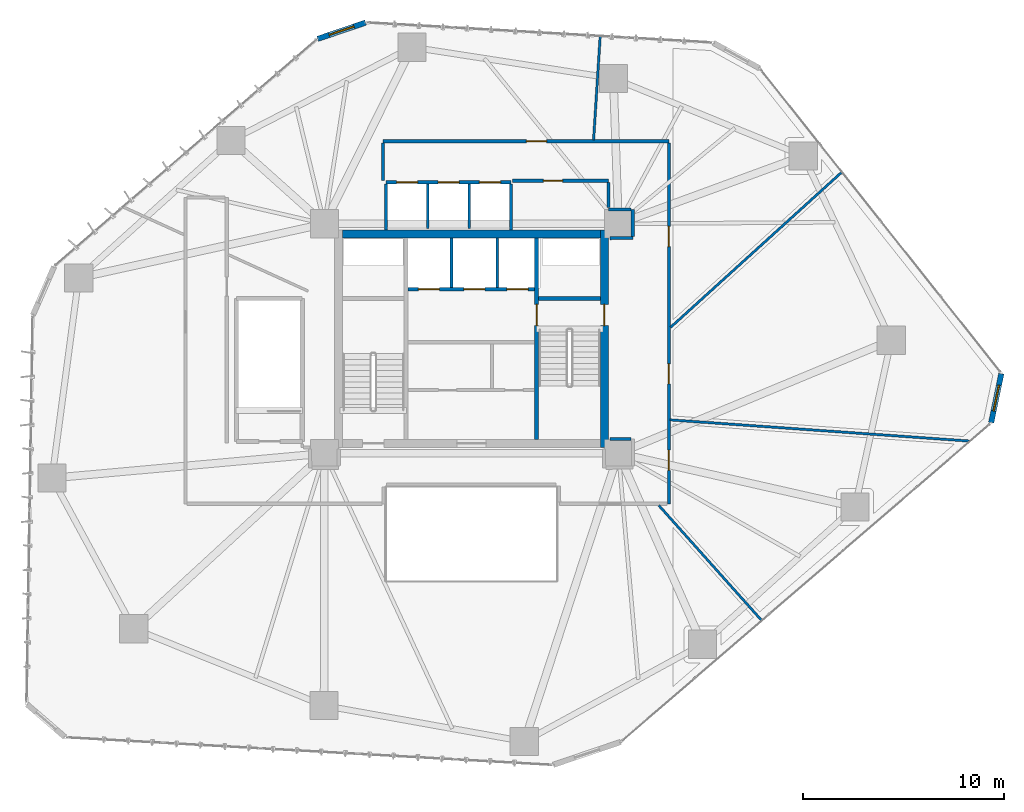
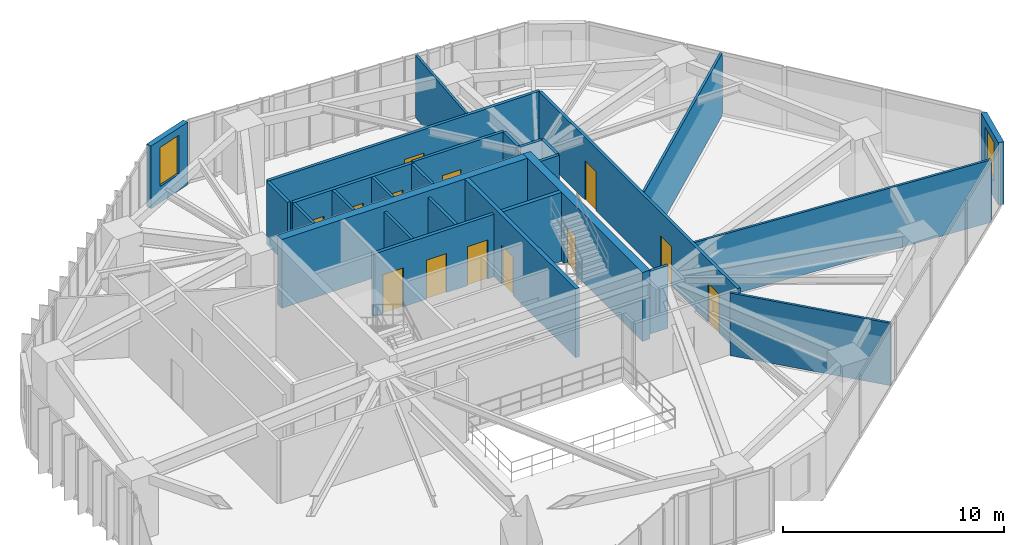
# One storey, part 20 of 24: 27 walls, 13 doors, 2 windows, 15 openings.
"""IFC4 building model written with IfcOpenShell, lengths in metres."""

from ifc_helpers import new_model, si_unit, direction, frame, frame_2d, origin, place, context, subcontext, project, spatial, rectangle, extrude, source, transform, mapped, material, layer, layer_set, type_object, type_shapes, element, fill, save


model = new_model("IFC4")

# Units and contexts
model_context = context("Model", 3, precision=1e-05, world=origin(), true_north=direction((0.0, 1.0)))
body_context = subcontext(model_context, "Body", "Model", "MODEL_VIEW")
ifc_project = project(units=[si_unit("LENGTHUNIT", "METRE"), si_unit("AREAUNIT", "SQUARE_METRE"), si_unit("VOLUMEUNIT", "CUBIC_METRE"), si_unit("PLANEANGLEUNIT", "RADIAN"), si_unit("MASSUNIT", "GRAM", prefix="KILO")], contexts=[model_context])

# Site, building, storey
site_placement = place(None, origin())
site = spatial("IfcSite", under=ifc_project, at=site_placement, CompositionType="ELEMENT")
building_placement = place(site_placement, origin())
building = spatial("IfcBuilding", under=site, at=building_placement, Name="Talar Marvaseh", CompositionType="ELEMENT")
storey_placement = place(building_placement, frame((0.0, 0.0, 81.0)))
storey = spatial("IfcBuildingStorey", under=building, at=storey_placement, Name="L20", CompositionType="ELEMENT", Elevation=81.0)

# Wall, opening, window
ifc_material_1 = material(Name="Precast concrete C45/55", Category="concrete")
ifc_layer_1 = layer(ifc_material_1, 0.27001953125)
ifc_layer_set_1 = layer_set([ifc_layer_1], Name="Precast concrete C45/55")
wall_type_1 = type_object("IfcWallType", Name="Chamfered Hexagonal Corner Pier Wall Z1 270", PredefinedType="SOLIDWALL", material=ifc_layer_set_1)
wall_1_placement = place(storey_placement, frame((18.364013671875, 46.08154296875, 0.0), z_axis=(0.0, 0.0, 1.0), x_axis=(0.946912248057, 0.321492137509, 0.0)))
wall_1 = element("IfcWall", 1, at=wall_1_placement, inside=storey, type_object=wall_type_1, Name="L20 Chamfered Corner Limestone Pier 3", PredefinedType="SOLIDWALL", context=body_context, shape_type="SweptSolid", body=[
    extrude(rectangle(XDim=2.515869140625, YDim=0.27001953125, at=frame_2d((1.2578125, 0.0))), origin(), (0.0, 0.0, 1.0), 3.449951171875),
])
opening_1_placement = place(wall_1_placement, frame((0.60791015625, 0.0, 0.89990234375)))
opening_1 = element("IfcOpeningElement", 2, at=opening_1_placement, cuts=wall_1, Name="Opening WN-CHM13", PredefinedType="OPENING", context=body_context, shape_type="SweptSolid", body=[
    extrude(rectangle(XDim=1.300048828125, YDim=2.14990234375, at=frame_2d((0.64990234375, 1.074951171875))), frame((0.0, 0.14501953125, 0.0), z_axis=(0.0, -1.0, 0.0), x_axis=(1.0, 0.0, 0.0)), (0.0, 0.0, 1.0), 0.2900390625),
])
ifc_material_2 = material(Name="Laminated Low-E Solar Glass", Category="glass")
window_type = type_object("IfcWindowType", Name="Zone 1 Chamfered Corner Slot Window 1300x2150", PartitioningType="SINGLE_PANEL", PredefinedType="WINDOW", material=ifc_material_2)
shared_shape_1 = source(origin(), body_context, "Body", "SweptSolid", [
    extrude(rectangle(XDim=1.300048828125, YDim=2.14990234375, at=frame_2d((0.64990234375, 1.074951171875))), frame((0.0, 0.030029296875, 0.0), z_axis=(0.0, -1.0, 0.0), x_axis=(1.0, 0.0, 0.0)), (0.0, 0.0, 1.0), 0.06005859375),
])
type_shapes(window_type, [shared_shape_1])
window_1_placement = place(opening_1_placement, origin())
window_1 = element("IfcWindow", 3, at=window_1_placement, inside=storey, type_object=window_type, Name="L20 Chamfered Corner Slot Window", OverallHeight=2.14990234375, OverallWidth=1.300048828125, PartitioningType="SINGLE_PANEL", PredefinedType="WINDOW", context=body_context, shape_type="MappedRepresentation", body=[
    mapped(shared_shape_1, transform((0.0, 0.0, 0.0), x_axis=(1.0, 0.0, 0.0), y_axis=(0.0, 1.0, 0.0), z_axis=(0.0, 0.0, 1.0), scale=1.0)),
])
fill(opening_1, window_1)

wall_2_placement = place(storey_placement, frame((52.30859375, 29.458251953125, 0.0), z_axis=(0.0, 0.0, 1.0), x_axis=(-0.202348871026, -0.979313501589, 0.0)))
wall_2 = element("IfcWall", 4, at=wall_2_placement, inside=storey, type_object=wall_type_1, Name="L20 Chamfered Corner Limestone Pier 5", PredefinedType="SOLIDWALL", context=body_context, shape_type="SweptSolid", body=[
    extrude(rectangle(XDim=2.484130859375, YDim=0.27001953125, at=frame_2d((1.2421875, 0.0))), origin(), (0.0, 0.0, 1.0), 3.449951171875),
])
opening_2_placement = place(wall_2_placement, frame((0.592041015625, 0.0, 0.89990234375)))
opening_2 = element("IfcOpeningElement", 5, at=opening_2_placement, cuts=wall_2, Name="Opening WN-CHM13", PredefinedType="OPENING", context=body_context, shape_type="SweptSolid", body=[
    extrude(rectangle(XDim=1.300048828125, YDim=2.14990234375, at=frame_2d((0.64990234375, 1.074951171875))), frame((0.0, 0.14501953125, 0.0), z_axis=(0.0, -1.0, 0.0), x_axis=(1.0, 0.0, 0.0)), (0.0, 0.0, 1.0), 0.2900390625),
])
window_2_placement = place(opening_2_placement, origin())
window_2 = element("IfcWindow", 6, at=window_2_placement, inside=storey, type_object=window_type, Name="L20 Chamfered Corner Slot Window", OverallHeight=2.14990234375, OverallWidth=1.300048828125, PartitioningType="SINGLE_PANEL", PredefinedType="WINDOW", context=body_context, shape_type="MappedRepresentation", body=[
    mapped(shared_shape_1, transform((0.0, 0.0, 0.0), x_axis=(1.0, 0.0, 0.0), y_axis=(0.0, 1.0, 0.0), z_axis=(0.0, 0.0, 1.0), scale=1.0)),
])
fill(opening_2, window_2)

# Wall, opening, door
ifc_material_3 = material(Name="Gypsum Board Partition Assembly")
ifc_layer_2 = layer(ifc_material_3, 0.155029296875)
ifc_layer_set_2 = layer_set([ifc_layer_2], Name="Gypsum Board Partition Assembly")
wall_type_2 = type_object("IfcWallType", Name="Corridor Fire-Rated Acoustic Partition 155", PredefinedType="PARTITIONING", material=ifc_layer_set_2)
wall_3_placement = place(storey_placement, frame((32.800048828125, 39.0400390625, 0.0), z_axis=(0.0, 0.0, 1.0), x_axis=(-1.0, 0.0, 0.0)))
wall_3 = element("IfcWall", 7, at=wall_3_placement, inside=storey, type_object=wall_type_2, Name="L20 Interior Partition Wall", PredefinedType="PARTITIONING", context=body_context, shape_type="SweptSolid", body=[
    extrude(rectangle(XDim=4.77001953125, YDim=0.155029296875, at=frame_2d((2.385009765625, 0.0))), origin(), (0.0, 0.0, 1.0), 3.449951171875),
])
opening_3_placement = place(wall_3_placement, frame((2.27392578125, 0.0, 0.0)))
opening_3 = element("IfcOpeningElement", 8, at=opening_3_placement, cuts=wall_3, Name="Opening DR-WC095", PredefinedType="OPENING", context=body_context, shape_type="SweptSolid", body=[
    extrude(rectangle(XDim=0.949951171875, YDim=2.14990234375, at=frame_2d((0.47509765625, 1.074951171875))), frame((0.0, 0.08740234375, 0.0), z_axis=(0.0, -1.0, 0.0), x_axis=(1.0, 0.0, 0.0)), (0.0, 0.0, 1.0), 0.175048828125),
])
ifc_material_4 = material(Name="Acoustic Engineered Oak Timber", Category="wood")
door_type_1 = type_object("IfcDoorType", Name="Washroom and Service Room Door 950x2150", OperationType="NOTDEFINED", PredefinedType="DOOR", material=ifc_material_4)
shared_shape_2 = source(origin(), body_context, "Body", "SweptSolid", [
    extrude(rectangle(XDim=0.949951171875, YDim=2.14990234375, at=frame_2d((0.47509765625, 1.074951171875))), frame((0.0, 0.02490234375, 0.0), z_axis=(0.0, -1.0, 0.0), x_axis=(1.0, 0.0, 0.0)), (0.0, 0.0, 1.0), 0.050048828125),
])
type_shapes(door_type_1, [shared_shape_2])
door_1_placement = place(opening_3_placement, origin())
door_1 = element("IfcDoor", 9, at=door_1_placement, inside=storey, type_object=door_type_1, Name="L20 Accessible WC Door", OperationType="SINGLE_SWING_LEFT", OverallHeight=2.14990234375, OverallWidth=0.949951171875, PredefinedType="DOOR", context=body_context, shape_type="MappedRepresentation", body=[
    mapped(shared_shape_2, transform((0.0, 0.0, 0.0), x_axis=(1.0, 0.0, 0.0), y_axis=(0.0, 1.0, 0.0), z_axis=(0.0, 0.0, 1.0), scale=1.0)),
])
fill(opening_3, door_1)

wall_4_placement = place(storey_placement, frame((21.60009765625, 41.0, 0.0), z_axis=(0.0, 0.0, 1.0), x_axis=(1.0, 0.0, 0.0)))
wall_4 = element("IfcWall", 10, at=wall_4_placement, inside=storey, type_object=wall_type_2, Name="L20 Interior Partition Wall", PredefinedType="PARTITIONING", context=body_context, shape_type="SweptSolid", body=[
    extrude(rectangle(XDim=14.199951171875, YDim=0.155029296875, at=frame_2d((7.10009765625, 0.0))), origin(), (0.0, 0.0, 1.0), 3.449951171875),
])
opening_4_placement = place(wall_4_placement, frame((7.1298828125, 0.0, 0.0)))
opening_4 = element("IfcOpeningElement", 11, at=opening_4_placement, cuts=wall_4, Name="Opening DR-RM100", PredefinedType="OPENING", context=body_context, shape_type="SweptSolid", body=[
    extrude(rectangle(XDim=1.0, YDim=2.14990234375, at=frame_2d((0.5, 1.074951171875))), frame((0.0, 0.08740234375, 0.0), z_axis=(0.0, -1.0, 0.0), x_axis=(1.0, 0.0, 0.0)), (0.0, 0.0, 1.0), 0.175048828125),
])
door_type_2 = type_object("IfcDoorType", Name="Corridor Fire-Rated Gallery Door 1000x2150", OperationType="NOTDEFINED", PredefinedType="DOOR", material=ifc_material_4)
shared_shape_3 = source(origin(), body_context, "Body", "SweptSolid", [
    extrude(rectangle(XDim=1.0, YDim=2.14990234375, at=frame_2d((0.5, 1.074951171875))), frame((0.0, 0.02490234375, 0.0), z_axis=(0.0, -1.0, 0.0), x_axis=(1.0, 0.0, 0.0)), (0.0, 0.0, 1.0), 0.050048828125),
])
type_shapes(door_type_2, [shared_shape_3])
door_2_placement = place(opening_4_placement, origin())
door_2 = element("IfcDoor", 12, at=door_2_placement, inside=storey, type_object=door_type_2, Name="L20 Chamber Recital Salon Door", OperationType="SINGLE_SWING_RIGHT", OverallHeight=2.14990234375, OverallWidth=1.0, PredefinedType="DOOR", context=body_context, shape_type="MappedRepresentation", body=[
    mapped(shared_shape_3, transform((0.0, 0.0, 0.0), x_axis=(1.0, 0.0, 0.0), y_axis=(0.0, 1.0, 0.0), z_axis=(0.0, 0.0, 1.0), scale=1.0)),
])
fill(opening_4, door_2)

# Wall, openings, doors
wall_5_placement = place(storey_placement, frame((35.800048828125, 40.91650390625, 0.0), z_axis=(0.0, 0.0, 1.0), x_axis=(0.0, -1.0, 0.0)))
wall_5 = element("IfcWall", 13, at=wall_5_placement, inside=storey, type_object=wall_type_2, Name="L20 Interior Partition Wall", PredefinedType="PARTITIONING", context=body_context, shape_type="SweptSolid", body=[
    extrude(rectangle(XDim=17.91650390625, YDim=0.155029296875, at=frame_2d((8.958251953125, 0.0))), origin(), (0.0, 0.0, 1.0), 3.449951171875),
])
opening_5_placement = place(wall_5_placement, frame((15.259521484375, 0.0, 0.0)))
opening_5 = element("IfcOpeningElement", 14, at=opening_5_placement, cuts=wall_5, Name="Opening DR-RM100", PredefinedType="OPENING", context=body_context, shape_type="SweptSolid", body=[
    extrude(rectangle(XDim=1.0, YDim=2.14990234375, at=frame_2d((0.5, 1.074951171875))), frame((0.0, 0.08740234375, 0.0), z_axis=(0.0, -1.0, 0.0), x_axis=(1.0, 0.0, 0.0)), (0.0, 0.0, 1.0), 0.175048828125),
])
opening_6_placement = place(wall_5_placement, frame((10.967041015625, 0.0, 0.0)))
opening_6 = element("IfcOpeningElement", 15, at=opening_6_placement, cuts=wall_5, Name="Opening DR-RM100", PredefinedType="OPENING", context=body_context, shape_type="SweptSolid", body=[
    extrude(rectangle(XDim=1.0, YDim=2.14990234375, at=frame_2d((0.5, 1.074951171875))), frame((0.0, 0.08740234375, 0.0), z_axis=(0.0, -1.0, 0.0), x_axis=(1.0, 0.0, 0.0)), (0.0, 0.0, 1.0), 0.175048828125),
])
opening_7_placement = place(wall_5_placement, frame((4.1484375, 0.0, 0.0)))
opening_7 = element("IfcOpeningElement", 16, at=opening_7_placement, cuts=wall_5, Name="Opening DR-RM100", PredefinedType="OPENING", context=body_context, shape_type="SweptSolid", body=[
    extrude(rectangle(XDim=1.0, YDim=2.14990234375, at=frame_2d((0.5, 1.074951171875))), frame((0.0, 0.08740234375, 0.0), z_axis=(0.0, -1.0, 0.0), x_axis=(1.0, 0.0, 0.0)), (0.0, 0.0, 1.0), 0.175048828125),
])
door_3_placement = place(opening_5_placement, origin())
door_3 = element("IfcDoor", 17, at=door_3_placement, inside=storey, type_object=door_type_2, Name="L20 Curatorial Staff Control Room Door", OperationType="SINGLE_SWING_RIGHT", OverallHeight=2.14990234375, OverallWidth=1.0, PredefinedType="DOOR", context=body_context, shape_type="MappedRepresentation", body=[
    mapped(shared_shape_3, transform((0.0, 0.0, 0.0), x_axis=(1.0, 0.0, 0.0), y_axis=(0.0, 1.0, 0.0), z_axis=(0.0, 0.0, 1.0), scale=1.0)),
])
fill(opening_5, door_3)
door_4_placement = place(opening_6_placement, origin())
door_4 = element("IfcDoor", 18, at=door_4_placement, inside=storey, type_object=door_type_2, Name="L20 Main Reading Room Door", OperationType="SINGLE_SWING_LEFT", OverallHeight=2.14990234375, OverallWidth=1.0, PredefinedType="DOOR", context=body_context, shape_type="MappedRepresentation", body=[
    mapped(shared_shape_3, transform((0.0, 0.0, 0.0), x_axis=(1.0, 0.0, 0.0), y_axis=(0.0, 1.0, 0.0), z_axis=(0.0, 0.0, 1.0), scale=1.0)),
])
fill(opening_6, door_4)
door_5_placement = place(opening_7_placement, origin())
door_5 = element("IfcDoor", 19, at=door_5_placement, inside=storey, type_object=door_type_2, Name="L20 Registrar Mail and Post Room Door", OperationType="SINGLE_SWING_RIGHT", OverallHeight=2.14990234375, OverallWidth=1.0, PredefinedType="DOOR", context=body_context, shape_type="MappedRepresentation", body=[
    mapped(shared_shape_3, transform((0.0, 0.0, 0.0), x_axis=(1.0, 0.0, 0.0), y_axis=(0.0, 1.0, 0.0), z_axis=(0.0, 0.0, 1.0), scale=1.0)),
])
fill(opening_7, door_5)

# Walls
wall_6_placement = place(storey_placement, frame((33.927978515625, 26.2099609375, 0.0), z_axis=(0.0, 0.0, 1.0), x_axis=(-0.999988255797, 0.004846469737, 0.0)))
element("IfcWall", 20, at=wall_6_placement, inside=storey, type_object=wall_type_2, Name="L20 Interior Partition Wall", PredefinedType="PARTITIONING", context=body_context, shape_type="SweptSolid", body=[
    extrude(rectangle(XDim=1.057861328125, YDim=0.155029296875, at=frame_2d((0.52880859375, 0.0))), origin(), (0.0, 0.0, 1.0), 3.449951171875),
])
wall_7_placement = place(storey_placement, frame((32.8701171875, 36.18505859375, 0.0), z_axis=(0.0, 0.0, 1.0), x_axis=(0.999988932255, 0.00470482389, 0.0)))
element("IfcWall", 21, at=wall_7_placement, inside=storey, type_object=wall_type_2, Name="L20 Interior Partition Wall", PredefinedType="PARTITIONING", context=body_context, shape_type="SweptSolid", body=[
    extrude(rectangle(XDim=1.1416015625, YDim=0.155029296875, at=frame_2d((0.57080078125, 0.0))), origin(), (0.0, 0.0, 1.0), 3.449951171875),
])
wall_8_placement = place(storey_placement, frame((34.01171875, 36.27392578125, 0.0), z_axis=(0.0, 0.0, 1.0), x_axis=(0.0, 1.0, 0.0)))
element("IfcWall", 22, at=wall_8_placement, inside=storey, type_object=wall_type_2, Name="L20 Interior Partition Wall", PredefinedType="PARTITIONING", context=body_context, shape_type="SweptSolid", body=[
    extrude(rectangle(XDim=1.335693359375, YDim=0.155029296875, at=frame_2d((0.66796875, 0.0))), origin(), (0.0, 0.0, 1.0), 3.449951171875),
])
wall_9_placement = place(storey_placement, frame((33.927978515625, 37.60986328125, 0.0), z_axis=(0.0, 0.0, 1.0), x_axis=(-0.999989669582, 0.004545407589, 0.0)))
element("IfcWall", 23, at=wall_9_placement, inside=storey, type_object=wall_type_2, Name="L20 Interior Partition Wall", PredefinedType="PARTITIONING", context=body_context, shape_type="SweptSolid", body=[
    extrude(rectangle(XDim=1.1279296875, YDim=0.155029296875, at=frame_2d((0.56396484375, 0.0))), origin(), (0.0, 0.0, 1.0), 3.449951171875),
])
wall_10_placement = place(storey_placement, frame((32.800048828125, 37.698486328125, 0.0), z_axis=(0.0, 0.0, 1.0), x_axis=(0.0, 1.0, 0.0)))
element("IfcWall", 24, at=wall_10_placement, inside=storey, type_object=wall_type_2, Name="L20 Interior Partition Wall", PredefinedType="PARTITIONING", context=body_context, shape_type="SweptSolid", body=[
    extrude(rectangle(XDim=1.258056640625, YDim=0.155029296875, at=frame_2d((0.62890625, 0.0))), origin(), (0.0, 0.0, 1.0), 3.449951171875),
])
wall_11_placement = place(storey_placement, frame((21.60009765625, 39.0400390625, 0.0), z_axis=(0.0, 0.0, 1.0), x_axis=(0.0, 1.0, 0.0)))
element("IfcWall", 25, at=wall_11_placement, inside=storey, type_object=wall_type_2, Name="L20 Interior Partition Wall", PredefinedType="PARTITIONING", context=body_context, shape_type="SweptSolid", body=[
    extrude(rectangle(XDim=1.87646484375, YDim=0.155029296875, at=frame_2d((0.938232421875, 0.0))), origin(), (0.0, 0.0, 1.0), 3.449951171875),
])
ifc_layer_3 = layer(ifc_material_3, 0.1201171875)
ifc_layer_set_3 = layer_set([ifc_layer_3], Name="Gypsum Board Partition Assembly")
wall_type_3 = type_object("IfcWallType", Name="Demountable Studio Room Partition 120", PredefinedType="PARTITIONING", material=ifc_layer_set_3)
wall_12_placement = place(storey_placement, frame((35.3046875, 22.91650390625, 0.0), z_axis=(0.0, 0.0, 1.0), x_axis=(0.66641484728, -0.74558115006, 0.0)))
element("IfcWall", 26, at=wall_12_placement, inside=storey, type_object=wall_type_3, Name="L20 Interior Partition Wall", PredefinedType="PARTITIONING", context=body_context, shape_type="SweptSolid", body=[
    extrude(rectangle(XDim=7.64501953125, YDim=0.1201171875, at=frame_2d((3.822509765625, 0.0))), origin(), (0.0, 0.0, 1.0), 3.449951171875),
])
wall_13_placement = place(storey_placement, frame((35.86474609375, 27.165283203125, 0.0), z_axis=(0.0, 0.0, 1.0), x_axis=(0.997500749215, -0.070655893707, 0.0)))
element("IfcWall", 27, at=wall_13_placement, inside=storey, type_object=wall_type_3, Name="L20 Interior Partition Wall", PredefinedType="PARTITIONING", context=body_context, shape_type="SweptSolid", body=[
    extrude(rectangle(XDim=14.909912109375, YDim=0.1201171875, at=frame_2d((7.455078125, 0.0))), origin(), (0.0, 0.0, 1.0), 3.449951171875),
])
wall_14_placement = place(storey_placement, frame((35.883544921875, 31.755615234375, 0.0), z_axis=(0.0, 0.0, 1.0), x_axis=(0.74089125654, 0.671625003989, 0.0)))
element("IfcWall", 28, at=wall_14_placement, inside=storey, type_object=wall_type_3, Name="L20 Interior Partition Wall", PredefinedType="PARTITIONING", context=body_context, shape_type="SweptSolid", body=[
    extrude(rectangle(XDim=11.4658203125, YDim=0.1201171875, at=frame_2d((5.73291015625, 0.0))), origin(), (0.0, 0.0, 1.0), 3.449951171875),
])
wall_15_placement = place(storey_placement, frame((32.064208984375, 41.06494140625, 0.0), z_axis=(0.0, 0.0, 1.0), x_axis=(0.063599504899, 0.997975502193, 0.0)))
element("IfcWall", 29, at=wall_15_placement, inside=storey, type_object=wall_type_3, Name="L20 Interior Partition Wall", PredefinedType="PARTITIONING", context=body_context, shape_type="SweptSolid", body=[
    extrude(rectangle(XDim=5.14013671875, YDim=0.1201171875, at=frame_2d((2.570068359375, 0.0))), origin(), (0.0, 0.0, 1.0), 3.449951171875),
])
ifc_layer_4 = layer(ifc_material_1, 0.14501953125)
ifc_layer_set_4 = layer_set([ifc_layer_4], Name="Precast concrete C45/55")
wall_type_4 = type_object("IfcWallType", Name="Fire-Rated Lift Divider Wall 145", PredefinedType="SOLIDWALL", material=ifc_layer_set_4)
for number, where, z_axis, x_axis, name in (
    (30, (25.0, 33.743408203125, 0.0), (0.0, 0.0, 1.0), (0.0, 1.0, 0.0), "L20 FFL-1/FFL-2 Divider"),
    (31, (27.280029296875, 33.743408203125, 0.0), (0.0, 0.0, 1.0), (0.0, 1.0, 0.0), "L20 FFL-2/SVL-1 Divider"),
):
    element("IfcWall", number, at=place(storey_placement, frame(where, z_axis=z_axis, x_axis=x_axis)), inside=storey, type_object=wall_type_4, Name=name, PredefinedType="SOLIDWALL", context=body_context, shape_type="SweptSolid", body=[
        extrude(rectangle(XDim=2.45654296875, YDim=0.14501953125, at=frame_2d((1.228271484375, 0.0))), origin(), (0.0, 0.0, 1.0), 3.449951171875),
    ])
for number, where, z_axis, x_axis, name in (
    (32, (21.760009765625, 36.60009765625, 0.0), (0.0, 0.0, 1.0), (0.0, 1.0, 0.0), "L20 Low-Rise Bank West Wall"),
    (33, (27.9599609375, 36.60009765625, 0.0), (0.0, 0.0, 1.0), (0.0, 1.0, 0.0), "L20 Low-Rise Bank East Wall"),
):
    element("IfcWall", number, at=place(storey_placement, frame(where, z_axis=z_axis, x_axis=x_axis)), inside=storey, type_object=wall_type_4, Name=name, PredefinedType="SOLIDWALL", context=body_context, shape_type="SweptSolid", body=[
        extrude(rectangle(XDim=2.266357421875, YDim=0.14501953125, at=frame_2d((1.13330078125, 0.0))), origin(), (0.0, 0.0, 1.0), 3.449951171875),
    ])
for number, where, z_axis, x_axis, name in (
    (34, (23.830078125, 36.659912109375, 0.0), (0.0, 0.0, 1.0), (0.0, 1.0, 0.0), "L20 PL-L1/PL-L2 Divider"),
    (35, (25.889892578125, 36.659912109375, 0.0), (0.0, 0.0, 1.0), (0.0, 1.0, 0.0), "L20 PL-L2/PL-L3 Divider"),
):
    element("IfcWall", number, at=place(storey_placement, frame(where, z_axis=z_axis, x_axis=x_axis)), inside=storey, type_object=wall_type_4, Name=name, PredefinedType="SOLIDWALL", context=body_context, shape_type="SweptSolid", body=[
        extrude(rectangle(XDim=2.20654296875, YDim=0.14501953125, at=frame_2d((1.103271484375, 0.0))), origin(), (0.0, 0.0, 1.0), 3.449951171875),
    ])

# Wall, openings, doors
ifc_layer_5 = layer(ifc_material_1, 0.175048828125)
ifc_layer_set_5 = layer_set([ifc_layer_5], Name="Precast concrete C45/55")
wall_type_5 = type_object("IfcWallType", Name="Fire-Rated Lift Hoistway Enclosure Wall 175", PredefinedType="SOLIDWALL", material=ifc_layer_set_5)
wall_16_placement = place(storey_placement, frame((22.860107421875, 33.64990234375, 0.0), z_axis=(0.0, 0.0, 1.0), x_axis=(1.0, 0.0, 0.0)))
wall_16 = element("IfcWall", 36, at=wall_16_placement, inside=storey, type_object=wall_type_5, Name="L20 Firefighting and Service Lift Front Wall", PredefinedType="SOLIDWALL", context=body_context, shape_type="SweptSolid", body=[
    extrude(rectangle(XDim=6.27978515625, YDim=0.175048828125, at=frame_2d((3.139892578125, 0.0))), origin(), (0.0, 0.0, 1.0), 3.449951171875),
])
opening_8_placement = place(wall_16_placement, frame((0.5, 0.0, 0.0)))
opening_8 = element("IfcOpeningElement", 37, at=opening_8_placement, cuts=wall_16, Name="Opening LD-FF1", PredefinedType="OPENING", context=body_context, shape_type="SweptSolid", body=[
    extrude(rectangle(XDim=1.050048828125, YDim=2.14990234375, at=frame_2d((0.52490234375, 1.074951171875))), frame((0.0, 0.09765625, 0.0), z_axis=(0.0, -1.0, 0.0), x_axis=(1.0, 0.0, 0.0)), (0.0, 0.0, 1.0), 0.195068359375),
])
opening_9_placement = place(wall_16_placement, frame((2.760009765625, 0.0, 0.0)))
opening_9 = element("IfcOpeningElement", 38, at=opening_9_placement, cuts=wall_16, Name="Opening LD-FF2", PredefinedType="OPENING", context=body_context, shape_type="SweptSolid", body=[
    extrude(rectangle(XDim=1.050048828125, YDim=2.14990234375, at=frame_2d((0.52490234375, 1.074951171875))), frame((0.0, 0.09765625, 0.0), z_axis=(0.0, -1.0, 0.0), x_axis=(1.0, 0.0, 0.0)), (0.0, 0.0, 1.0), 0.195068359375),
])
opening_10_placement = place(wall_16_placement, frame((4.89990234375, 0.0, 0.0)))
opening_10 = element("IfcOpeningElement", 39, at=opening_10_placement, cuts=wall_16, Name="Opening LD-SV1", PredefinedType="OPENING", context=body_context, shape_type="SweptSolid", body=[
    extrude(rectangle(XDim=1.050048828125, YDim=2.14990234375, at=frame_2d((0.52490234375, 1.074951171875))), frame((0.0, 0.09765625, 0.0), z_axis=(0.0, -1.0, 0.0), x_axis=(1.0, 0.0, 0.0)), (0.0, 0.0, 1.0), 0.195068359375),
])
ifc_material_5 = material(Name="Stainless Steel Grade 316", Category="steel")
door_type_3 = type_object("IfcDoorType", Name="Automatic Sliding Lift Landing Door 1050x2150", OperationType="NOTDEFINED", PredefinedType="DOOR", material=ifc_material_5)
shared_shape_4 = source(origin(), body_context, "Body", "SweptSolid", [
    extrude(rectangle(XDim=1.050048828125, YDim=2.14990234375, at=frame_2d((0.52490234375, 1.074951171875))), frame((0.0, 0.02490234375, 0.0), z_axis=(0.0, -1.0, 0.0), x_axis=(1.0, 0.0, 0.0)), (0.0, 0.0, 1.0), 0.050048828125),
])
type_shapes(door_type_3, [shared_shape_4])
door_6_placement = place(opening_8_placement, origin())
door_6 = element("IfcDoor", 40, at=door_6_placement, inside=storey, type_object=door_type_3, Name="L20 Lift FFL-1 Sliding Landing Door", OperationType="SLIDING_TO_LEFT", OverallHeight=2.14990234375, OverallWidth=1.050048828125, PredefinedType="DOOR", context=body_context, shape_type="MappedRepresentation", body=[
    mapped(shared_shape_4, transform((0.0, 0.0, 0.0), x_axis=(1.0, 0.0, 0.0), y_axis=(0.0, 1.0, 0.0), z_axis=(0.0, 0.0, 1.0), scale=1.0)),
])
fill(opening_8, door_6)
door_7_placement = place(opening_9_placement, origin())
door_7 = element("IfcDoor", 41, at=door_7_placement, inside=storey, type_object=door_type_3, Name="L20 Lift FFL-2 Sliding Landing Door", OperationType="SLIDING_TO_LEFT", OverallHeight=2.14990234375, OverallWidth=1.050048828125, PredefinedType="DOOR", context=body_context, shape_type="MappedRepresentation", body=[
    mapped(shared_shape_4, transform((0.0, 0.0, 0.0), x_axis=(1.0, 0.0, 0.0), y_axis=(0.0, 1.0, 0.0), z_axis=(0.0, 0.0, 1.0), scale=1.0)),
])
fill(opening_9, door_7)
door_8_placement = place(opening_10_placement, origin())
door_8 = element("IfcDoor", 42, at=door_8_placement, inside=storey, type_object=door_type_3, Name="L20 Lift SVL-1 Sliding Landing Door", OperationType="SLIDING_TO_LEFT", OverallHeight=2.14990234375, OverallWidth=1.050048828125, PredefinedType="DOOR", context=body_context, shape_type="MappedRepresentation", body=[
    mapped(shared_shape_4, transform((0.0, 0.0, 0.0), x_axis=(1.0, 0.0, 0.0), y_axis=(0.0, 1.0, 0.0), z_axis=(0.0, 0.0, 1.0), scale=1.0)),
])
fill(opening_10, door_8)

wall_17_placement = place(storey_placement, frame((21.760009765625, 38.9599609375, 0.0), z_axis=(0.0, 0.0, 1.0), x_axis=(1.0, 0.0, 0.0)))
wall_17 = element("IfcWall", 43, at=wall_17_placement, inside=storey, type_object=wall_type_5, Name="L20 Low-Rise Lift Bank Front Wall", PredefinedType="SOLIDWALL", context=body_context, shape_type="SweptSolid", body=[
    extrude(rectangle(XDim=6.199951171875, YDim=0.175048828125, at=frame_2d((3.10009765625, 0.0))), origin(), (0.0, 0.0, 1.0), 3.449951171875),
])
opening_11_placement = place(wall_17_placement, frame((0.52001953125, 0.0, 0.0)))
opening_11 = element("IfcOpeningElement", 44, at=opening_11_placement, cuts=wall_17, Name="Opening LD-PLL1", PredefinedType="OPENING", context=body_context, shape_type="SweptSolid", body=[
    extrude(rectangle(XDim=1.050048828125, YDim=2.14990234375, at=frame_2d((0.52490234375, 1.074951171875))), frame((0.0, 0.09765625, 0.0), z_axis=(0.0, -1.0, 0.0), x_axis=(1.0, 0.0, 0.0)), (0.0, 0.0, 1.0), 0.195068359375),
])
opening_12_placement = place(wall_17_placement, frame((2.580078125, 0.0, 0.0)))
opening_12 = element("IfcOpeningElement", 45, at=opening_12_placement, cuts=wall_17, Name="Opening LD-PLL2", PredefinedType="OPENING", context=body_context, shape_type="SweptSolid", body=[
    extrude(rectangle(XDim=1.050048828125, YDim=2.14990234375, at=frame_2d((0.52490234375, 1.074951171875))), frame((0.0, 0.09765625, 0.0), z_axis=(0.0, -1.0, 0.0), x_axis=(1.0, 0.0, 0.0)), (0.0, 0.0, 1.0), 0.195068359375),
])
opening_13_placement = place(wall_17_placement, frame((4.639892578125, 0.0, 0.0)))
opening_13 = element("IfcOpeningElement", 46, at=opening_13_placement, cuts=wall_17, Name="Opening LD-PLL3", PredefinedType="OPENING", context=body_context, shape_type="SweptSolid", body=[
    extrude(rectangle(XDim=1.050048828125, YDim=2.14990234375, at=frame_2d((0.52490234375, 1.074951171875))), frame((0.0, 0.09765625, 0.0), z_axis=(0.0, -1.0, 0.0), x_axis=(1.0, 0.0, 0.0)), (0.0, 0.0, 1.0), 0.195068359375),
])
door_9_placement = place(opening_11_placement, origin())
door_9 = element("IfcDoor", 47, at=door_9_placement, inside=storey, type_object=door_type_3, Name="L20 Lift PL-L1 Sliding Landing Door", OperationType="SLIDING_TO_LEFT", OverallHeight=2.14990234375, OverallWidth=1.050048828125, PredefinedType="DOOR", context=body_context, shape_type="MappedRepresentation", body=[
    mapped(shared_shape_4, transform((0.0, 0.0, 0.0), x_axis=(1.0, 0.0, 0.0), y_axis=(0.0, 1.0, 0.0), z_axis=(0.0, 0.0, 1.0), scale=1.0)),
])
fill(opening_11, door_9)
door_10_placement = place(opening_12_placement, origin())
door_10 = element("IfcDoor", 48, at=door_10_placement, inside=storey, type_object=door_type_3, Name="L20 Lift PL-L2 Sliding Landing Door", OperationType="SLIDING_TO_LEFT", OverallHeight=2.14990234375, OverallWidth=1.050048828125, PredefinedType="DOOR", context=body_context, shape_type="MappedRepresentation", body=[
    mapped(shared_shape_4, transform((0.0, 0.0, 0.0), x_axis=(1.0, 0.0, 0.0), y_axis=(0.0, 1.0, 0.0), z_axis=(0.0, 0.0, 1.0), scale=1.0)),
])
fill(opening_12, door_10)
door_11_placement = place(opening_13_placement, origin())
door_11 = element("IfcDoor", 49, at=door_11_placement, inside=storey, type_object=door_type_3, Name="L20 Lift PL-L3 Sliding Landing Door", OperationType="SLIDING_TO_LEFT", OverallHeight=2.14990234375, OverallWidth=1.050048828125, PredefinedType="DOOR", context=body_context, shape_type="MappedRepresentation", body=[
    mapped(shared_shape_4, transform((0.0, 0.0, 0.0), x_axis=(1.0, 0.0, 0.0), y_axis=(0.0, 1.0, 0.0), z_axis=(0.0, 0.0, 1.0), scale=1.0)),
])
fill(opening_13, door_11)

# Wall, opening, door
ifc_material_6 = material(Name="Concrete C70/85", Category="concrete")
ifc_layer_6 = layer(ifc_material_6, 0.39990234375)
ifc_layer_set_6 = layer_set([ifc_layer_6], Name="Concrete C70/85")
wall_type_6 = type_object("IfcWallType", Name="Lower Core Reinforced Concrete Shear Wall 400", PredefinedType="SHEAR", material=ifc_layer_set_6)
wall_18_placement = place(storey_placement, frame((32.60009765625, 36.60009765625, 0.0), z_axis=(0.0, 0.0, 1.0), x_axis=(0.0, -1.0, 0.0)))
wall_18 = element("IfcWall", 50, at=wall_18_placement, inside=storey, type_object=wall_type_6, Name="L20 East Core Shear Wall", PredefinedType="SHEAR", context=body_context, shape_type="SweptSolid", body=[
    extrude(rectangle(XDim=10.800048828125, YDim=0.39990234375, at=frame_2d((5.39990234375, 0.0))), origin(), (0.0, 0.0, 1.0), 3.800048828125),
])
opening_14_placement = place(wall_18_placement, frame((3.699951171875, 0.0, 0.0)))
opening_14 = element("IfcOpeningElement", 51, at=opening_14_placement, cuts=wall_18, Name="Opening DR-ST105", PredefinedType="OPENING", context=body_context, shape_type="SweptSolid", body=[
    extrude(rectangle(XDim=1.050048828125, YDim=2.14990234375, at=frame_2d((0.52490234375, 1.074951171875))), frame((0.0, 0.2099609375, 0.0), z_axis=(0.0, -1.0, 0.0), x_axis=(1.0, 0.0, 0.0)), (0.0, 0.0, 1.0), 0.419921875),
])
ifc_material_7 = material(Name="Fire-Rated Steel Door Leaf", Category="steel")
door_type_4 = type_object("IfcDoorType", Name="Protected Exit Stair Fire Door 1050x2150", OperationType="NOTDEFINED", PredefinedType="DOOR", material=ifc_material_7)
shared_shape_5 = source(origin(), body_context, "Body", "SweptSolid", [
    extrude(rectangle(XDim=1.050048828125, YDim=2.14990234375, at=frame_2d((0.52490234375, 1.074951171875))), frame((0.0, 0.02490234375, 0.0), z_axis=(0.0, -1.0, 0.0), x_axis=(1.0, 0.0, 0.0)), (0.0, 0.0, 1.0), 0.050048828125),
])
type_shapes(door_type_4, [shared_shape_5])
door_12_placement = place(opening_14_placement, origin())
door_12 = element("IfcDoor", 52, at=door_12_placement, inside=storey, type_object=door_type_4, Name="L20 Stair ST-2 Corridor Exit Door", OperationType="SINGLE_SWING_LEFT", OverallHeight=2.14990234375, OverallWidth=1.050048828125, PredefinedType="DOOR", context=body_context, shape_type="MappedRepresentation", body=[
    mapped(shared_shape_5, transform((0.0, 0.0, 0.0), x_axis=(1.0, 0.0, 0.0), y_axis=(0.0, 1.0, 0.0), z_axis=(0.0, 0.0, 1.0), scale=1.0)),
])
fill(opening_14, door_12)

# Wall
wall_19_placement = place(storey_placement, frame((19.60009765625, 36.39990234375, 0.0), z_axis=(0.0, 0.0, 1.0), x_axis=(1.0, 0.0, 0.0)))
element("IfcWall", 53, at=wall_19_placement, inside=storey, type_object=wall_type_6, Name="L20 North Core Shear Wall", PredefinedType="SHEAR", context=body_context, shape_type="SweptSolid", body=[
    extrude(rectangle(XDim=12.7998046875, YDim=0.39990234375, at=frame_2d((6.39990234375, 0.0))), origin(), (0.0, 0.0, 1.0), 3.800048828125),
])

# Wall, opening, door
ifc_material_8 = material(Name="Concrete C50/60", Category="concrete")
ifc_layer_7 = layer(ifc_material_8, 0.199951171875)
ifc_layer_set_7 = layer_set([ifc_layer_7], Name="Concrete C50/60")
wall_type_7 = type_object("IfcWallType", Name="Stair Shaft Structural Concrete Shear Wall 200", PredefinedType="SHEAR", material=ifc_layer_set_7)
wall_20_placement = place(storey_placement, frame((29.239990234375, 26.199951171875, 0.0), z_axis=(0.0, 0.0, 1.0), x_axis=(0.0, 1.0, 0.0)))
wall_20 = element("IfcWall", 54, at=wall_20_placement, inside=storey, type_object=wall_type_7, Name="L20 Core East Stair Shear Wall", PredefinedType="SHEAR", context=body_context, shape_type="SweptSolid", body=[
    extrude(rectangle(XDim=10.0, YDim=0.199951171875, at=frame_2d((5.0, 0.0))), origin(), (0.0, 0.0, 1.0), 3.800048828125),
])
opening_15_placement = place(wall_20_placement, frame((5.64990234375, 0.0, 0.0)))
opening_15 = element("IfcOpeningElement", 55, at=opening_15_placement, cuts=wall_20, Name="Opening DR-ST105", PredefinedType="OPENING", context=body_context, shape_type="SweptSolid", body=[
    extrude(rectangle(XDim=1.050048828125, YDim=2.14990234375, at=frame_2d((0.52490234375, 1.074951171875))), frame((0.0, 0.10986328125, 0.0), z_axis=(0.0, -1.0, 0.0), x_axis=(1.0, 0.0, 0.0)), (0.0, 0.0, 1.0), 0.219970703125),
])
door_13_placement = place(opening_15_placement, origin())
door_13 = element("IfcDoor", 56, at=door_13_placement, inside=storey, type_object=door_type_4, Name="L20 Firefighting Lobby to Stair ST-2 Door", OperationType="SINGLE_SWING_LEFT", OverallHeight=2.14990234375, OverallWidth=1.050048828125, PredefinedType="DOOR", context=body_context, shape_type="MappedRepresentation", body=[
    mapped(shared_shape_5, transform((0.0, 0.0, 0.0), x_axis=(1.0, 0.0, 0.0), y_axis=(0.0, 1.0, 0.0), z_axis=(0.0, 0.0, 1.0), scale=1.0)),
])
fill(opening_15, door_13)

# Wall
wall_21_placement = place(storey_placement, frame((29.340087890625, 33.199951171875, 0.0), z_axis=(0.0, 0.0, 1.0), x_axis=(1.0, 0.0, 0.0)))
element("IfcWall", 57, at=wall_21_placement, inside=storey, type_object=wall_type_7, Name="L20 Stair ST-2 North Shear Wall", PredefinedType="SHEAR", context=body_context, shape_type="SweptSolid", body=[
    extrude(rectangle(XDim=3.059814453125, YDim=0.199951171875, at=frame_2d((1.52978515625, 0.0))), origin(), (0.0, 0.0, 1.0), 3.800048828125),
])

save(model, "model.ifc")
